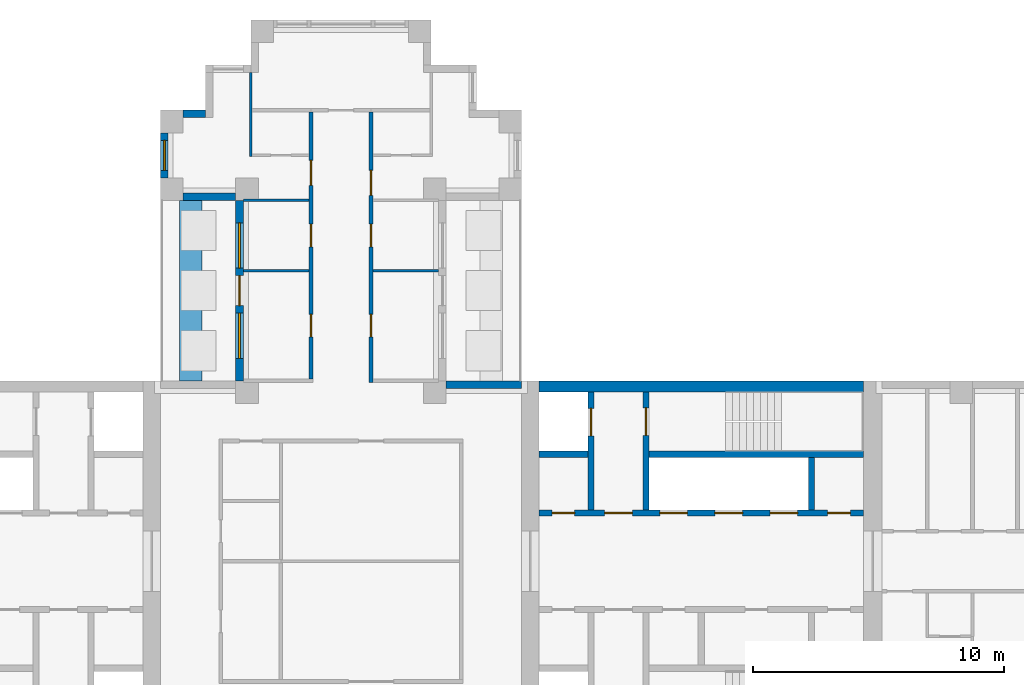
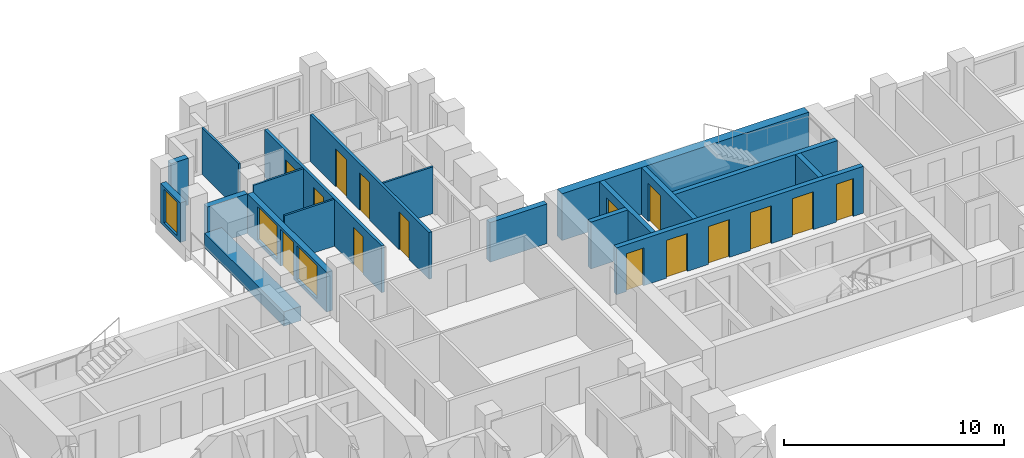
# One storey, part 7 of 12: 19 walls, 15 doors, 3 windows, 18 openings.
"""IFC4 building model written with IfcOpenShell, lengths in metres."""

from ifc_helpers import new_model, si_unit, direction, frame, frame_2d, origin, place, context, subcontext, project, spatial, rectangle, extrude, material, layer, layer_set, type_object, element, fill, save


model = new_model("IFC4")

# Units and contexts
model_context = context("Model", 3, precision=1e-05, world=origin(), true_north=direction((0.0, 1.0)))
body_context = subcontext(model_context, "Body", "Model", "MODEL_VIEW")
ifc_project = project(units=[si_unit("LENGTHUNIT", "METRE"), si_unit("AREAUNIT", "SQUARE_METRE"), si_unit("VOLUMEUNIT", "CUBIC_METRE"), si_unit("PLANEANGLEUNIT", "RADIAN"), si_unit("MASSUNIT", "GRAM", prefix="KILO")], contexts=[model_context])

# Site, building, storey
site_placement = place(None, origin())
site = spatial("IfcSite", under=ifc_project, at=site_placement, CompositionType="ELEMENT")
building_placement = place(site_placement, origin())
building = spatial("IfcBuilding", under=site, at=building_placement, Name="Fustian Cross Tower", CompositionType="ELEMENT")
storey_placement = place(building_placement, frame((0.0, 0.0, 147.300048828125)))
storey = spatial("IfcBuildingStorey", under=building, at=storey_placement, Name="L46", CompositionType="ELEMENT", Elevation=147.300048828125)

# Wall, openings, doors
ifc_material_1 = material(Name="Plasterboard on steel stud", Category="steel")
ifc_layer_1 = layer(ifc_material_1, 0.14990234375)
ifc_layer_set_1 = layer_set([ifc_layer_1], Name="Plasterboard on steel stud")
wall_type_1 = type_object("IfcWallType", Name="COMPARTMENT WALL 150 EI 60", PredefinedType="PARTITIONING", material=ifc_layer_set_1)
wall_1_placement = place(storey_placement, frame((-1.199951171875, 7.27490234375, 0.0), z_axis=(0.0, 0.0, 1.0), x_axis=(0.0, 1.0, 0.0)))
wall_1 = element("IfcWall", 1, at=wall_1_placement, inside=storey, type_object=wall_type_1, Name="Partition 38", PredefinedType="PARTITIONING", context=body_context, shape_type="SweptSolid", body=[
    extrude(rectangle(XDim=10.650146484375, YDim=0.14990234375, at=frame_2d((5.3251953125, 0.0))), origin(), (0.0, 0.0, 1.0), 2.599853515625),
])
opening_1_placement = place(wall_1_placement, frame((5.27490234375, 0.0, 0.0)))
opening_1 = element("IfcOpeningElement", 2, at=opening_1_placement, cuts=wall_1, Name="Opening D21018", PredefinedType="OPENING", context=body_context, shape_type="SweptSolid", body=[
    extrude(rectangle(XDim=0.89990234375, YDim=2.10009765625, at=frame_2d((0.449951171875, 1.050048828125))), frame((0.0, 0.0849609375, 0.0), z_axis=(0.0, -1.0, 0.0), x_axis=(1.0, 0.0, 0.0)), (0.0, 0.0, 1.0), 0.169921875),
])
opening_2_placement = place(wall_1_placement, frame((1.675048828125, 0.0, 0.0)))
opening_2 = element("IfcOpeningElement", 3, at=opening_2_placement, cuts=wall_1, Name="Opening D21019", PredefinedType="OPENING", context=body_context, shape_type="SweptSolid", body=[
    extrude(rectangle(XDim=0.89990234375, YDim=2.10009765625, at=frame_2d((0.449951171875, 1.050048828125))), frame((0.0, 0.0849609375, 0.0), z_axis=(0.0, -1.0, 0.0), x_axis=(1.0, 0.0, 0.0)), (0.0, 0.0, 1.0), 0.169921875),
])
opening_3_placement = place(wall_1_placement, frame((7.72509765625, 0.0, 0.0)))
opening_3 = element("IfcOpeningElement", 4, at=opening_3_placement, cuts=wall_1, Name="Opening D21021", PredefinedType="OPENING", context=body_context, shape_type="SweptSolid", body=[
    extrude(rectangle(XDim=1.0, YDim=2.10009765625, at=frame_2d((0.5, 1.050048828125))), frame((0.0, 0.0849609375, 0.0), z_axis=(0.0, -1.0, 0.0), x_axis=(1.0, 0.0, 0.0)), (0.0, 0.0, 1.0), 0.169921875),
])
ifc_material_2 = material(Name="Timber fire door set", Category="wood")
door_type_1 = type_object("IfcDoorType", Name="FIRE SWING DOOR 1000 FD30S", OperationType="SINGLE_SWING_LEFT", PredefinedType="DOOR", material=ifc_material_2)
door_1_placement = place(opening_3_placement, origin())
door_1 = element("IfcDoor", 5, at=door_1_placement, inside=storey, type_object=door_type_1, Name="Door D21021", OperationType="SINGLE_SWING_RIGHT", OverallHeight=2.10009765625, OverallWidth=1.0, PredefinedType="DOOR", context=body_context, shape_type="SweptSolid", body=[
    extrude(rectangle(XDim=1.0, YDim=2.10009765625, at=frame_2d((0.5, 1.050048828125))), frame((0.0, 0.02490234375, 0.0), z_axis=(0.0, -1.0, 0.0), x_axis=(1.0, 0.0, 0.0)), (0.0, 0.0, 1.0), 0.050048828125),
])
fill(opening_3, door_1)
ifc_material_3 = material(Name="Timber fire door set", Category="wood")
door_type_2 = type_object("IfcDoorType", Name="FIRE SWING DOOR 900 FD30S", OperationType="SINGLE_SWING_LEFT", PredefinedType="DOOR", material=ifc_material_3)
door_2_placement = place(opening_1_placement, origin())
door_2 = element("IfcDoor", 6, at=door_2_placement, inside=storey, type_object=door_type_2, Name="Door D21018", OperationType="SINGLE_SWING_LEFT", OverallHeight=2.10009765625, OverallWidth=0.89990234375, PredefinedType="DOOR", context=body_context, shape_type="SweptSolid", body=[
    extrude(rectangle(XDim=0.89990234375, YDim=2.10009765625, at=frame_2d((0.449951171875, 1.050048828125))), frame((0.0, 0.02490234375, 0.0), z_axis=(0.0, -1.0, 0.0), x_axis=(1.0, 0.0, 0.0)), (0.0, 0.0, 1.0), 0.050048828125),
])
fill(opening_1, door_2)
door_3_placement = place(opening_2_placement, origin())
door_3 = element("IfcDoor", 7, at=door_3_placement, inside=storey, type_object=door_type_2, Name="Door D21019", OperationType="SINGLE_SWING_LEFT", OverallHeight=2.10009765625, OverallWidth=0.89990234375, PredefinedType="DOOR", context=body_context, shape_type="SweptSolid", body=[
    extrude(rectangle(XDim=0.89990234375, YDim=2.10009765625, at=frame_2d((0.449951171875, 1.050048828125))), frame((0.0, 0.02490234375, 0.0), z_axis=(0.0, -1.0, 0.0), x_axis=(1.0, 0.0, 0.0)), (0.0, 0.0, 1.0), 0.050048828125),
])
fill(opening_2, door_3)

wall_2_placement = place(storey_placement, frame((1.199951171875, 7.125, 0.0), z_axis=(0.0, 0.0, 1.0), x_axis=(0.0, 1.0, 0.0)))
wall_2 = element("IfcWall", 8, at=wall_2_placement, inside=storey, type_object=wall_type_1, Name="Partition 46", PredefinedType="PARTITIONING", context=body_context, shape_type="SweptSolid", body=[
    extrude(rectangle(XDim=10.800048828125, YDim=0.14990234375, at=frame_2d((5.39990234375, 0.0))), origin(), (0.0, 0.0, 1.0), 2.599853515625),
])
opening_4_placement = place(wall_2_placement, frame((5.425048828125, 0.0, 0.0)))
opening_4 = element("IfcOpeningElement", 9, at=opening_4_placement, cuts=wall_2, Name="Opening D21022", PredefinedType="OPENING", context=body_context, shape_type="SweptSolid", body=[
    extrude(rectangle(XDim=0.89990234375, YDim=2.10009765625, at=frame_2d((0.449951171875, 1.050048828125))), frame((0.0, 0.0849609375, 0.0), z_axis=(0.0, -1.0, 0.0), x_axis=(1.0, 0.0, 0.0)), (0.0, 0.0, 1.0), 0.169921875),
])
opening_5_placement = place(wall_2_placement, frame((1.824951171875, 0.0, 0.0)))
opening_5 = element("IfcOpeningElement", 10, at=opening_5_placement, cuts=wall_2, Name="Opening D21023", PredefinedType="OPENING", context=body_context, shape_type="SweptSolid", body=[
    extrude(rectangle(XDim=0.89990234375, YDim=2.10009765625, at=frame_2d((0.449951171875, 1.050048828125))), frame((0.0, 0.0849609375, 0.0), z_axis=(0.0, -1.0, 0.0), x_axis=(1.0, 0.0, 0.0)), (0.0, 0.0, 1.0), 0.169921875),
])
opening_6_placement = place(wall_2_placement, frame((7.47509765625, 0.0, 0.0)))
opening_6 = element("IfcOpeningElement", 11, at=opening_6_placement, cuts=wall_2, Name="Opening D21025", PredefinedType="OPENING", context=body_context, shape_type="SweptSolid", body=[
    extrude(rectangle(XDim=1.0, YDim=2.10009765625, at=frame_2d((0.5, 1.050048828125))), frame((0.0, 0.0849609375, 0.0), z_axis=(0.0, -1.0, 0.0), x_axis=(1.0, 0.0, 0.0)), (0.0, 0.0, 1.0), 0.169921875),
])
door_4_placement = place(opening_6_placement, frame((1.0, 0.0, 0.0), z_axis=(0.0, 0.0, 1.0), x_axis=(-1.0, 0.0, 0.0)))
door_4 = element("IfcDoor", 12, at=door_4_placement, inside=storey, type_object=door_type_1, Name="Door D21025", OperationType="SINGLE_SWING_RIGHT", OverallHeight=2.10009765625, OverallWidth=1.0, PredefinedType="DOOR", context=body_context, shape_type="SweptSolid", body=[
    extrude(rectangle(XDim=1.0, YDim=2.10009765625, at=frame_2d((0.5, 1.050048828125))), frame((0.0, 0.02490234375, 0.0), z_axis=(0.0, -1.0, 0.0), x_axis=(1.0, 0.0, 0.0)), (0.0, 0.0, 1.0), 0.050048828125),
])
fill(opening_6, door_4)
door_5_placement = place(opening_4_placement, frame((0.89990234375, 0.0, 0.0), z_axis=(0.0, 0.0, 1.0), x_axis=(-1.0, 0.0, 0.0)))
door_5 = element("IfcDoor", 13, at=door_5_placement, inside=storey, type_object=door_type_2, Name="Door D21022", OperationType="SINGLE_SWING_RIGHT", OverallHeight=2.10009765625, OverallWidth=0.89990234375, PredefinedType="DOOR", context=body_context, shape_type="SweptSolid", body=[
    extrude(rectangle(XDim=0.89990234375, YDim=2.10009765625, at=frame_2d((0.449951171875, 1.050048828125))), frame((0.0, 0.02490234375, 0.0), z_axis=(0.0, -1.0, 0.0), x_axis=(1.0, 0.0, 0.0)), (0.0, 0.0, 1.0), 0.050048828125),
])
fill(opening_4, door_5)
door_6_placement = place(opening_5_placement, frame((0.89990234375, 0.0, 0.0), z_axis=(0.0, 0.0, 1.0), x_axis=(-1.0, 0.0, 0.0)))
door_6 = element("IfcDoor", 14, at=door_6_placement, inside=storey, type_object=door_type_2, Name="Door D21023", OperationType="SINGLE_SWING_RIGHT", OverallHeight=2.10009765625, OverallWidth=0.89990234375, PredefinedType="DOOR", context=body_context, shape_type="SweptSolid", body=[
    extrude(rectangle(XDim=0.89990234375, YDim=2.10009765625, at=frame_2d((0.449951171875, 1.050048828125))), frame((0.0, 0.02490234375, 0.0), z_axis=(0.0, -1.0, 0.0), x_axis=(1.0, 0.0, 0.0)), (0.0, 0.0, 1.0), 0.050048828125),
])
fill(opening_5, door_6)

# Wall
ifc_material_4 = material(Name="Concrete C60/75", Category="concrete")
ifc_layer_2 = layer(ifc_material_4, 0.449951171875)
ifc_layer_set_2 = layer_set([ifc_layer_2], Name="Concrete C60/75")
wall_type_2 = type_object("IfcWallType", Name="CORE FACADE WALL 450 C60/75", PredefinedType="SHEAR", material=ifc_layer_set_2)
wall_3_placement = place(storey_placement, frame((7.89990234375, 6.97509765625, 0.0), z_axis=(0.0, 0.0, 1.0), x_axis=(1.0, 0.0, 0.0)))
element("IfcWall", 15, at=wall_3_placement, inside=storey, type_object=wall_type_2, Name="Core facade wall", PredefinedType="SHEAR", context=body_context, shape_type="SweptSolid", body=[
    extrude(rectangle(XDim=12.9501953125, YDim=0.449951171875, at=frame_2d((6.47509765625, 0.0))), origin(), (0.0, 0.0, 1.0), 2.599853515625),
])

# Wall, openings, doors
ifc_material_5 = material(Name="Concrete C50/60", Category="concrete")
ifc_layer_3 = layer(ifc_material_5, 0.25)
ifc_layer_set_3 = layer_set([ifc_layer_3], Name="Concrete C50/60")
wall_type_3 = type_object("IfcWallType", Name="CORE LOBBY WALL 250 C50/60", PredefinedType="SHEAR", material=ifc_layer_set_3)
wall_4_placement = place(storey_placement, frame((7.89990234375, 1.925048828125, 0.0), z_axis=(0.0, 0.0, 1.0), x_axis=(1.0, 0.0, 0.0)))
wall_4 = element("IfcWall", 16, at=wall_4_placement, inside=storey, type_object=wall_type_3, Name="Core lobby wall", PredefinedType="SHEAR", context=body_context, shape_type="SweptSolid", body=[
    extrude(rectangle(XDim=12.9501953125, YDim=0.25, at=frame_2d((6.47509765625, 0.0))), origin(), (0.0, 0.0, 1.0), 2.599853515625),
])
opening_7_placement = place(wall_4_placement, frame((4.824951171875, 0.0, 0.0)))
opening_7 = element("IfcOpeningElement", 17, at=opening_7_placement, cuts=wall_4, Name="Opening LD", PredefinedType="OPENING", context=body_context, shape_type="SweptSolid", body=[
    extrude(rectangle(XDim=1.10009765625, YDim=2.10009765625, at=frame_2d((0.550048828125, 1.050048828125))), frame((0.0, 0.135009765625, 0.0), z_axis=(0.0, -1.0, 0.0), x_axis=(1.0, 0.0, 0.0)), (0.0, 0.0, 1.0), 0.27001953125),
])
opening_8_placement = place(wall_4_placement, frame((7.02490234375, 0.0, 0.0)))
opening_8 = element("IfcOpeningElement", 18, at=opening_8_placement, cuts=wall_4, Name="Opening LD", PredefinedType="OPENING", context=body_context, shape_type="SweptSolid", body=[
    extrude(rectangle(XDim=1.10009765625, YDim=2.10009765625, at=frame_2d((0.550048828125, 1.050048828125))), frame((0.0, 0.135009765625, 0.0), z_axis=(0.0, -1.0, 0.0), x_axis=(1.0, 0.0, 0.0)), (0.0, 0.0, 1.0), 0.27001953125),
])
opening_9_placement = place(wall_4_placement, frame((9.22509765625, 0.0, 0.0)))
opening_9 = element("IfcOpeningElement", 19, at=opening_9_placement, cuts=wall_4, Name="Opening LD", PredefinedType="OPENING", context=body_context, shape_type="SweptSolid", body=[
    extrude(rectangle(XDim=1.10009765625, YDim=2.10009765625, at=frame_2d((0.550048828125, 1.050048828125))), frame((0.0, 0.135009765625, 0.0), z_axis=(0.0, -1.0, 0.0), x_axis=(1.0, 0.0, 0.0)), (0.0, 0.0, 1.0), 0.27001953125),
])
opening_10_placement = place(wall_4_placement, frame((0.52490234375, 0.0, 0.0)))
opening_10 = element("IfcOpeningElement", 20, at=opening_10_placement, cuts=wall_4, Name="Opening CD-16-08", PredefinedType="OPENING", context=body_context, shape_type="SweptSolid", body=[
    extrude(rectangle(XDim=0.89990234375, YDim=2.10009765625, at=frame_2d((0.449951171875, 1.050048828125))), frame((0.0, 0.135009765625, 0.0), z_axis=(0.0, -1.0, 0.0), x_axis=(1.0, 0.0, 0.0)), (0.0, 0.0, 1.0), 0.27001953125),
])
opening_11_placement = place(wall_4_placement, frame((2.625, 0.0, 0.0)))
opening_11 = element("IfcOpeningElement", 21, at=opening_11_placement, cuts=wall_4, Name="Opening CD-16-10", PredefinedType="OPENING", context=body_context, shape_type="SweptSolid", body=[
    extrude(rectangle(XDim=1.10009765625, YDim=2.10009765625, at=frame_2d((0.550048828125, 1.050048828125))), frame((0.0, 0.135009765625, 0.0), z_axis=(0.0, -1.0, 0.0), x_axis=(1.0, 0.0, 0.0)), (0.0, 0.0, 1.0), 0.27001953125),
])
opening_12_placement = place(wall_4_placement, frame((11.52490234375, 0.0, 0.0)))
opening_12 = element("IfcOpeningElement", 22, at=opening_12_placement, cuts=wall_4, Name="Opening CD-16-14", PredefinedType="OPENING", context=body_context, shape_type="SweptSolid", body=[
    extrude(rectangle(XDim=0.89990234375, YDim=2.10009765625, at=frame_2d((0.449951171875, 1.050048828125))), frame((0.0, 0.135009765625, 0.0), z_axis=(0.0, -1.0, 0.0), x_axis=(1.0, 0.0, 0.0)), (0.0, 0.0, 1.0), 0.27001953125),
])
ifc_material_6 = material(Name="Steel", Category="steel")
door_type_3 = type_object("IfcDoorType", Name="FIRE DOOR FD30S 900X2100", OperationType="SINGLE_SWING_LEFT", PredefinedType="DOOR", material=ifc_material_6)
door_7_placement = place(opening_12_placement, origin())
door_7 = element("IfcDoor", 23, at=door_7_placement, inside=storey, type_object=door_type_3, Name="Core door CD-16-14", OperationType="SINGLE_SWING_LEFT", OverallHeight=2.10009765625, OverallWidth=0.89990234375, PredefinedType="DOOR", context=body_context, shape_type="SweptSolid", body=[
    extrude(rectangle(XDim=0.89990234375, YDim=2.10009765625, at=frame_2d((0.449951171875, 1.050048828125))), frame((0.0, 0.02490234375, 0.0), z_axis=(0.0, -1.0, 0.0), x_axis=(1.0, 0.0, 0.0)), (0.0, 0.0, 1.0), 0.050048828125),
])
fill(opening_12, door_7)
ifc_material_7 = material(Name="Steel", Category="steel")
door_type_4 = type_object("IfcDoorType", Name="FIRE DOOR FD60S 1100X2100", OperationType="SINGLE_SWING_LEFT", PredefinedType="DOOR", material=ifc_material_7)
door_8_placement = place(opening_11_placement, frame((1.10009765625, 0.0, 0.0), z_axis=(0.0, 0.0, 1.0), x_axis=(-1.0, 0.0, 0.0)))
door_8 = element("IfcDoor", 24, at=door_8_placement, inside=storey, type_object=door_type_4, Name="Core door CD-16-10", OperationType="SINGLE_SWING_RIGHT", OverallHeight=2.10009765625, OverallWidth=1.10009765625, PredefinedType="DOOR", context=body_context, shape_type="SweptSolid", body=[
    extrude(rectangle(XDim=1.10009765625, YDim=2.10009765625, at=frame_2d((0.550048828125, 1.050048828125))), frame((0.0, 0.02490234375, 0.0), z_axis=(0.0, -1.0, 0.0), x_axis=(1.0, 0.0, 0.0)), (0.0, 0.0, 1.0), 0.050048828125),
])
fill(opening_11, door_8)
ifc_material_8 = material(Name="Steel", Category="steel")
door_type_5 = type_object("IfcDoorType", Name="FIRE DOOR FD60S 900X2100", OperationType="SINGLE_SWING_LEFT", PredefinedType="DOOR", material=ifc_material_8)
door_9_placement = place(opening_10_placement, origin())
door_9 = element("IfcDoor", 25, at=door_9_placement, inside=storey, type_object=door_type_5, Name="Core door CD-16-08", OperationType="SINGLE_SWING_LEFT", OverallHeight=2.10009765625, OverallWidth=0.89990234375, PredefinedType="DOOR", context=body_context, shape_type="SweptSolid", body=[
    extrude(rectangle(XDim=0.89990234375, YDim=2.10009765625, at=frame_2d((0.449951171875, 1.050048828125))), frame((0.0, 0.02490234375, 0.0), z_axis=(0.0, -1.0, 0.0), x_axis=(1.0, 0.0, 0.0)), (0.0, 0.0, 1.0), 0.050048828125),
])
fill(opening_10, door_9)
ifc_material_9 = material(Name="Stainless steel", Category="steel")
door_type_6 = type_object("IfcDoorType", Name="LIFT LANDING DOOR 1100X2100", OperationType="SLIDING_TO_LEFT", PredefinedType="DOOR", material=ifc_material_9)
door_10_placement = place(opening_7_placement, origin())
door_10 = element("IfcDoor", 26, at=door_10_placement, inside=storey, type_object=door_type_6, Name="Landing door HR1", OperationType="SLIDING_TO_LEFT", OverallHeight=2.10009765625, OverallWidth=1.10009765625, PredefinedType="DOOR", context=body_context, shape_type="SweptSolid", body=[
    extrude(rectangle(XDim=1.10009765625, YDim=2.10009765625, at=frame_2d((0.550048828125, 1.050048828125))), frame((0.0, 0.02490234375, 0.0), z_axis=(0.0, -1.0, 0.0), x_axis=(1.0, 0.0, 0.0)), (0.0, 0.0, 1.0), 0.050048828125),
])
fill(opening_7, door_10)
door_11_placement = place(opening_8_placement, origin())
door_11 = element("IfcDoor", 27, at=door_11_placement, inside=storey, type_object=door_type_6, Name="Landing door HR2", OperationType="SLIDING_TO_LEFT", OverallHeight=2.10009765625, OverallWidth=1.10009765625, PredefinedType="DOOR", context=body_context, shape_type="SweptSolid", body=[
    extrude(rectangle(XDim=1.10009765625, YDim=2.10009765625, at=frame_2d((0.550048828125, 1.050048828125))), frame((0.0, 0.02490234375, 0.0), z_axis=(0.0, -1.0, 0.0), x_axis=(1.0, 0.0, 0.0)), (0.0, 0.0, 1.0), 0.050048828125),
])
fill(opening_8, door_11)
door_12_placement = place(opening_9_placement, origin())
door_12 = element("IfcDoor", 28, at=door_12_placement, inside=storey, type_object=door_type_6, Name="Landing door HR3", OperationType="SLIDING_TO_LEFT", OverallHeight=2.10009765625, OverallWidth=1.10009765625, PredefinedType="DOOR", context=body_context, shape_type="SweptSolid", body=[
    extrude(rectangle(XDim=1.10009765625, YDim=2.10009765625, at=frame_2d((0.550048828125, 1.050048828125))), frame((0.0, 0.02490234375, 0.0), z_axis=(0.0, -1.0, 0.0), x_axis=(1.0, 0.0, 0.0)), (0.0, 0.0, 1.0), 0.050048828125),
])
fill(opening_9, door_12)

# Walls
ifc_material_10 = material(Name="Concrete C50/60", Category="concrete")
ifc_layer_4 = layer(ifc_material_10, 0.25)
ifc_layer_set_4 = layer_set([ifc_layer_4], Name="Concrete C50/60")
wall_type_4 = type_object("IfcWallType", Name="CORE SHAFT WALL 250 C50/60", PredefinedType="SHEAR", material=ifc_layer_set_4)
wall_5_placement = place(storey_placement, frame((7.89990234375, 4.27490234375, 0.0), z_axis=(0.0, 0.0, 1.0), x_axis=(1.0, 0.0, 0.0)))
element("IfcWall", 29, at=wall_5_placement, inside=storey, type_object=wall_type_4, Name="Core shaft wall", PredefinedType="SHEAR", context=body_context, shape_type="SweptSolid", body=[
    extrude(rectangle(XDim=1.9501953125, YDim=0.25, at=frame_2d((0.97509765625, 0.0))), origin(), (0.0, 0.0, 1.0), 2.599853515625),
])
wall_6_placement = place(storey_placement, frame((12.300048828125, 4.27490234375, 0.0), z_axis=(0.0, 0.0, 1.0), x_axis=(1.0, 0.0, 0.0)))
element("IfcWall", 30, at=wall_6_placement, inside=storey, type_object=wall_type_4, Name="Core shaft wall", PredefinedType="SHEAR", context=body_context, shape_type="SweptSolid", body=[
    extrude(rectangle(XDim=8.550048828125, YDim=0.25, at=frame_2d((4.27490234375, 0.0))), origin(), (0.0, 0.0, 1.0), 2.599853515625),
])

# Wall, opening, door
wall_7_placement = place(storey_placement, frame((9.97509765625, 2.050048828125, 0.0), z_axis=(0.0, 0.0, 1.0), x_axis=(0.0, 1.0, 0.0)))
wall_7 = element("IfcWall", 31, at=wall_7_placement, inside=storey, type_object=wall_type_4, Name="Core shaft wall", PredefinedType="SHEAR", context=body_context, shape_type="SweptSolid", body=[
    extrude(rectangle(XDim=4.699951171875, YDim=0.25, at=frame_2d((2.35009765625, 0.0))), origin(), (0.0, 0.0, 1.0), 2.599853515625),
])
opening_13_placement = place(wall_7_placement, frame((2.949951171875, 0.0, 0.0)))
opening_13 = element("IfcOpeningElement", 32, at=opening_13_placement, cuts=wall_7, Name="Opening LD", PredefinedType="OPENING", context=body_context, shape_type="SweptSolid", body=[
    extrude(rectangle(XDim=1.10009765625, YDim=2.10009765625, at=frame_2d((0.550048828125, 1.050048828125))), frame((0.0, 0.135009765625, 0.0), z_axis=(0.0, -1.0, 0.0), x_axis=(1.0, 0.0, 0.0)), (0.0, 0.0, 1.0), 0.27001953125),
])
door_13_placement = place(opening_13_placement, origin())
door_13 = element("IfcDoor", 33, at=door_13_placement, inside=storey, type_object=door_type_6, Name="Landing door FL1", OperationType="SLIDING_TO_LEFT", OverallHeight=2.10009765625, OverallWidth=1.10009765625, PredefinedType="DOOR", context=body_context, shape_type="SweptSolid", body=[
    extrude(rectangle(XDim=1.10009765625, YDim=2.10009765625, at=frame_2d((0.550048828125, 1.050048828125))), frame((0.0, 0.02490234375, 0.0), z_axis=(0.0, -1.0, 0.0), x_axis=(1.0, 0.0, 0.0)), (0.0, 0.0, 1.0), 0.050048828125),
])
fill(opening_13, door_13)

wall_8_placement = place(storey_placement, frame((12.175048828125, 2.050048828125, 0.0), z_axis=(0.0, 0.0, 1.0), x_axis=(0.0, 1.0, 0.0)))
wall_8 = element("IfcWall", 34, at=wall_8_placement, inside=storey, type_object=wall_type_4, Name="Core shaft wall", PredefinedType="SHEAR", context=body_context, shape_type="SweptSolid", body=[
    extrude(rectangle(XDim=4.699951171875, YDim=0.25, at=frame_2d((2.35009765625, 0.0))), origin(), (0.0, 0.0, 1.0), 2.599853515625),
])
opening_14_placement = place(wall_8_placement, frame((2.97509765625, 0.0, 0.0)))
opening_14 = element("IfcOpeningElement", 35, at=opening_14_placement, cuts=wall_8, Name="Opening CD-16-06", PredefinedType="OPENING", context=body_context, shape_type="SweptSolid", body=[
    extrude(rectangle(XDim=1.10009765625, YDim=2.10009765625, at=frame_2d((0.550048828125, 1.050048828125))), frame((0.0, 0.135009765625, 0.0), z_axis=(0.0, -1.0, 0.0), x_axis=(1.0, 0.0, 0.0)), (0.0, 0.0, 1.0), 0.27001953125),
])
door_14_placement = place(opening_14_placement, frame((1.10009765625, 0.0, 0.0), z_axis=(0.0, 0.0, 1.0), x_axis=(-1.0, 0.0, 0.0)))
door_14 = element("IfcDoor", 36, at=door_14_placement, inside=storey, type_object=door_type_4, Name="Core door CD-16-06", OperationType="SINGLE_SWING_RIGHT", OverallHeight=2.10009765625, OverallWidth=1.10009765625, PredefinedType="DOOR", context=body_context, shape_type="SweptSolid", body=[
    extrude(rectangle(XDim=1.10009765625, YDim=2.10009765625, at=frame_2d((0.550048828125, 1.050048828125))), frame((0.0, 0.02490234375, 0.0), z_axis=(0.0, -1.0, 0.0), x_axis=(1.0, 0.0, 0.0)), (0.0, 0.0, 1.0), 0.050048828125),
])
fill(opening_14, door_14)

# Walls
ifc_material_11 = material(Name="Plasterboard on steel stud", Category="steel")
ifc_layer_5 = layer(ifc_material_11, 0.10009765625)
ifc_layer_set_5 = layer_set([ifc_layer_5], Name="Plasterboard on steel stud")
wall_type_5 = type_object("IfcWallType", Name="PARTITION 100 STUD", PredefinedType="PARTITIONING", material=ifc_layer_set_5)
for number, where, z_axis, x_axis, name in (
    (37, (-3.89990234375, 11.60009765625, 0.0), (0.0, 0.0, 1.0), (1.0, 0.0, 0.0), "Partition 25"),
    (38, (-3.89990234375, 14.39990234375, 0.0), (0.0, 0.0, 1.0), (1.0, 0.0, 0.0), "Partition 26"),
):
    element("IfcWall", number, at=place(storey_placement, frame(where, z_axis=z_axis, x_axis=x_axis)), inside=storey, type_object=wall_type_5, Name=name, PredefinedType="PARTITIONING", context=body_context, shape_type="SweptSolid", body=[
        extrude(rectangle(XDim=2.625, YDim=0.10009765625, at=frame_2d((1.3125, 0.0))), origin(), (0.0, 0.0, 1.0), 2.599853515625),
    ])
wall_9_placement = place(storey_placement, frame((-3.60009765625, 16.14990234375, 0.0), z_axis=(0.0, 0.0, 1.0), x_axis=(0.0, 1.0, 0.0)))
element("IfcWall", 39, at=wall_9_placement, inside=storey, type_object=wall_type_5, Name="Partition 30", PredefinedType="PARTITIONING", context=body_context, shape_type="SweptSolid", body=[
    extrude(rectangle(XDim=3.35009765625, YDim=0.10009765625, at=frame_2d((1.675048828125, 0.0))), origin(), (0.0, 0.0, 1.0), 2.599853515625),
])
wall_10_placement = place(storey_placement, frame((1.27490234375, 11.60009765625, 0.0), z_axis=(0.0, 0.0, 1.0), x_axis=(1.0, 0.0, 0.0)))
element("IfcWall", 40, at=wall_10_placement, inside=storey, type_object=wall_type_5, Name="Partition 48", PredefinedType="PARTITIONING", context=body_context, shape_type="SweptSolid", body=[
    extrude(rectangle(XDim=2.625, YDim=0.10009765625, at=frame_2d((1.3125, 0.0))), origin(), (0.0, 0.0, 1.0), 2.599853515625),
])
ifc_material_12 = material(Name="Concrete C40/50", Category="concrete")
ifc_layer_6 = layer(ifc_material_12, 0.89990234375)
ifc_layer_set_6 = layer_set([ifc_layer_6], Name="Concrete C40/50")
wall_type_6 = type_object("IfcWallType", Name="PK1 PLANTER 900", PredefinedType="PARAPET", material=ifc_layer_set_6)
wall_11_placement = place(storey_placement, frame((-6.0, 7.199951171875, 0.0), z_axis=(0.0, 0.0, 1.0), x_axis=(0.0, 1.0, 0.0)))
element("IfcWall", 41, at=wall_11_placement, inside=storey, type_object=wall_type_6, Name="PLANTER", PredefinedType="PARAPET", context=body_context, shape_type="SweptSolid", body=[
    extrude(rectangle(XDim=7.199951171875, YDim=0.89990234375, at=frame_2d((3.60009765625, 0.0))), origin(), (0.0, 0.0, 1.0), 0.800048828125),
])
ifc_material_13 = material(Name="Concrete C40/50", Category="concrete")
ifc_layer_7 = layer(ifc_material_13, 0.25)
ifc_layer_set_7 = layer_set([ifc_layer_7], Name="Concrete C40/50")
wall_type_7 = type_object("IfcWallType", Name="SHAFT PARTITION WALL 250 C40/50", PredefinedType="PARTITIONING", material=ifc_layer_set_7)
wall_12_placement = place(storey_placement, frame((18.77490234375, 2.050048828125, 0.0), z_axis=(0.0, 0.0, 1.0), x_axis=(0.0, 1.0, 0.0)))
element("IfcWall", 42, at=wall_12_placement, inside=storey, type_object=wall_type_7, Name="Core shaft wall", PredefinedType="PARTITIONING", context=body_context, shape_type="SweptSolid", body=[
    extrude(rectangle(XDim=2.099853515625, YDim=0.25, at=frame_2d((1.0498046875, 0.0))), origin(), (0.0, 0.0, 1.0), 2.599853515625),
])
ifc_material_14 = material(Name="Dark aluminium cladding on insulated backing wall", Category="aluminium")
ifc_layer_8 = layer(ifc_material_14, 0.300048828125)
ifc_layer_set_8 = layer_set([ifc_layer_8], Name="Dark aluminium cladding on insulated backing wall")
wall_type_8 = type_object("IfcWallType", Name="XW1 EXTERNAL WALL 300", PredefinedType="SOLIDWALL", material=ifc_layer_set_8)
wall_13_placement = place(storey_placement, frame((7.199951171875, 7.050048828125, 0.0), z_axis=(0.0, 0.0, 1.0), x_axis=(-1.0, 0.0, 0.0)))
element("IfcWall", 43, at=wall_13_placement, inside=storey, type_object=wall_type_8, Name="External wall", PredefinedType="SOLIDWALL", context=body_context, shape_type="SweptSolid", body=[
    extrude(rectangle(XDim=3.0, YDim=0.300048828125, at=frame_2d((1.5, 0.0))), origin(), (0.0, 0.0, 1.0), 2.199951171875),
])
wall_14_placement = place(storey_placement, frame((-5.39990234375, 17.85009765625, 0.0), z_axis=(0.0, 0.0, 1.0), x_axis=(-1.0, 0.0, 0.0)))
element("IfcWall", 44, at=wall_14_placement, inside=storey, type_object=wall_type_8, Name="External wall", PredefinedType="SOLIDWALL", context=body_context, shape_type="SweptSolid", body=[
    extrude(rectangle(XDim=0.900146484375, YDim=0.300048828125, at=frame_2d((0.4501953125, 0.0))), origin(), (0.0, 0.0, 1.0), 2.599853515625),
])

# Wall, opening, window
wall_15_placement = place(storey_placement, frame((-7.050048828125, 17.10009765625, 0.0), z_axis=(0.0, 0.0, 1.0), x_axis=(0.0, -1.0, 0.0)))
wall_15 = element("IfcWall", 45, at=wall_15_placement, inside=storey, type_object=wall_type_8, Name="External wall", PredefinedType="SOLIDWALL", context=body_context, shape_type="SweptSolid", body=[
    extrude(rectangle(XDim=1.800048828125, YDim=0.300048828125, at=frame_2d((0.89990234375, 0.0))), origin(), (0.0, 0.0, 1.0), 2.199951171875),
])
opening_15_placement = place(wall_15_placement, frame((0.300048828125, 0.0, 0.199951171875)))
opening_15 = element("IfcOpeningElement", 46, at=opening_15_placement, cuts=wall_15, Name="Opening WN3", PredefinedType="OPENING", context=body_context, shape_type="SweptSolid", body=[
    extrude(rectangle(XDim=1.199951171875, YDim=1.85009765625, at=frame_2d((0.60009765625, 0.925048828125))), frame((0.0, 0.159912109375, 0.0), z_axis=(0.0, -1.0, 0.0), x_axis=(1.0, 0.0, 0.0)), (0.0, 0.0, 1.0), 0.320068359375),
])
ifc_material_15 = material(Name="Dark anodised aluminium and double glazing", Category="aluminium")
window_type_1 = type_object("IfcWindowType", Name="WN3 WINDOW 1200X1850", PartitioningType="SINGLE_PANEL", PredefinedType="WINDOW", material=ifc_material_15)
window_1_placement = place(opening_15_placement, origin())
window_1 = element("IfcWindow", 47, at=window_1_placement, inside=storey, type_object=window_type_1, Name="Window", OverallHeight=1.85009765625, OverallWidth=1.199951171875, PartitioningType="SINGLE_PANEL", PredefinedType="WINDOW", context=body_context, shape_type="SweptSolid", body=[
    extrude(rectangle(XDim=1.199951171875, YDim=1.85009765625, at=frame_2d((0.60009765625, 0.925048828125))), frame((0.0, 0.030029296875, 0.0), z_axis=(0.0, -1.0, 0.0), x_axis=(1.0, 0.0, 0.0)), (0.0, 0.0, 1.0), 0.06005859375),
])
fill(opening_15, window_1)

# Wall
wall_16_placement = place(storey_placement, frame((-6.300048828125, 14.550048828125, 0.0), z_axis=(0.0, 0.0, 1.0), x_axis=(1.0, 0.0, 0.0)))
element("IfcWall", 48, at=wall_16_placement, inside=storey, type_object=wall_type_8, Name="External wall", PredefinedType="SOLIDWALL", context=body_context, shape_type="SweptSolid", body=[
    extrude(rectangle(XDim=2.10009765625, YDim=0.300048828125, at=frame_2d((1.050048828125, 0.0))), origin(), (0.0, 0.0, 1.0), 2.199951171875),
])

# Wall, openings, door, windows
wall_17_placement = place(storey_placement, frame((-4.050048828125, 14.39990234375, 0.0), z_axis=(0.0, 0.0, 1.0), x_axis=(0.0, -1.0, 0.0)))
wall_17 = element("IfcWall", 49, at=wall_17_placement, inside=storey, type_object=wall_type_8, Name="External wall", PredefinedType="SOLIDWALL", context=body_context, shape_type="SweptSolid", body=[
    extrude(rectangle(XDim=7.199951171875, YDim=0.300048828125, at=frame_2d((3.60009765625, 0.0))), origin(), (0.0, 0.0, 1.0), 2.199951171875),
])
opening_16_placement = place(wall_17_placement, frame((3.0, 0.0, 0.0)))
opening_16 = element("IfcOpeningElement", 50, at=opening_16_placement, cuts=wall_17, Name="Opening XD2", PredefinedType="OPENING", context=body_context, shape_type="SweptSolid", body=[
    extrude(rectangle(XDim=1.199951171875, YDim=2.050048828125, at=frame_2d((0.60009765625, 1.02490234375))), frame((0.0, 0.159912109375, 0.0), z_axis=(0.0, -1.0, 0.0), x_axis=(1.0, 0.0, 0.0)), (0.0, 0.0, 1.0), 0.320068359375),
])
opening_17_placement = place(wall_17_placement, frame((0.89990234375, 0.0, 0.199951171875)))
opening_17 = element("IfcOpeningElement", 51, at=opening_17_placement, cuts=wall_17, Name="Opening WN2", PredefinedType="OPENING", context=body_context, shape_type="SweptSolid", body=[
    extrude(rectangle(XDim=1.800048828125, YDim=1.85009765625, at=frame_2d((0.89990234375, 0.925048828125))), frame((0.0, 0.159912109375, 0.0), z_axis=(0.0, -1.0, 0.0), x_axis=(1.0, 0.0, 0.0)), (0.0, 0.0, 1.0), 0.320068359375),
])
opening_18_placement = place(wall_17_placement, frame((4.5, 0.0, 0.199951171875)))
opening_18 = element("IfcOpeningElement", 52, at=opening_18_placement, cuts=wall_17, Name="Opening WN2", PredefinedType="OPENING", context=body_context, shape_type="SweptSolid", body=[
    extrude(rectangle(XDim=1.800048828125, YDim=1.85009765625, at=frame_2d((0.89990234375, 0.925048828125))), frame((0.0, 0.159912109375, 0.0), z_axis=(0.0, -1.0, 0.0), x_axis=(1.0, 0.0, 0.0)), (0.0, 0.0, 1.0), 0.320068359375),
])
ifc_material_16 = material(Name="Dark anodised aluminium and double glazing", Category="aluminium")
door_type_7 = type_object("IfcDoorType", Name="ED1 BALCONY DOOR 1200X2050", OperationType="SINGLE_SWING_LEFT", PredefinedType="DOOR", material=ifc_material_16)
door_15_placement = place(opening_16_placement, origin())
door_15 = element("IfcDoor", 53, at=door_15_placement, inside=storey, type_object=door_type_7, Name="Balcony door", OperationType="SINGLE_SWING_LEFT", OverallHeight=2.050048828125, OverallWidth=1.199951171875, PredefinedType="DOOR", context=body_context, shape_type="SweptSolid", body=[
    extrude(rectangle(XDim=1.199951171875, YDim=2.050048828125, at=frame_2d((0.60009765625, 1.02490234375))), frame((0.0, 0.02490234375, 0.0), z_axis=(0.0, -1.0, 0.0), x_axis=(1.0, 0.0, 0.0)), (0.0, 0.0, 1.0), 0.050048828125),
])
fill(opening_16, door_15)
ifc_material_17 = material(Name="Dark anodised aluminium and double glazing", Category="aluminium")
window_type_2 = type_object("IfcWindowType", Name="WN2 WINDOW 1800X1850", PartitioningType="SINGLE_PANEL", PredefinedType="WINDOW", material=ifc_material_17)
window_2_placement = place(opening_17_placement, origin())
window_2 = element("IfcWindow", 54, at=window_2_placement, inside=storey, type_object=window_type_2, Name="Window", OverallHeight=1.85009765625, OverallWidth=1.800048828125, PartitioningType="SINGLE_PANEL", PredefinedType="WINDOW", context=body_context, shape_type="SweptSolid", body=[
    extrude(rectangle(XDim=1.800048828125, YDim=1.85009765625, at=frame_2d((0.89990234375, 0.925048828125))), frame((0.0, 0.030029296875, 0.0), z_axis=(0.0, -1.0, 0.0), x_axis=(1.0, 0.0, 0.0)), (0.0, 0.0, 1.0), 0.06005859375),
])
fill(opening_17, window_2)
window_3_placement = place(opening_18_placement, origin())
window_3 = element("IfcWindow", 55, at=window_3_placement, inside=storey, type_object=window_type_2, Name="Window", OverallHeight=1.85009765625, OverallWidth=1.800048828125, PartitioningType="SINGLE_PANEL", PredefinedType="WINDOW", context=body_context, shape_type="SweptSolid", body=[
    extrude(rectangle(XDim=1.800048828125, YDim=1.85009765625, at=frame_2d((0.89990234375, 0.925048828125))), frame((0.0, 0.030029296875, 0.0), z_axis=(0.0, -1.0, 0.0), x_axis=(1.0, 0.0, 0.0)), (0.0, 0.0, 1.0), 0.06005859375),
])
fill(opening_18, window_3)

save(model, "model.ifc")
